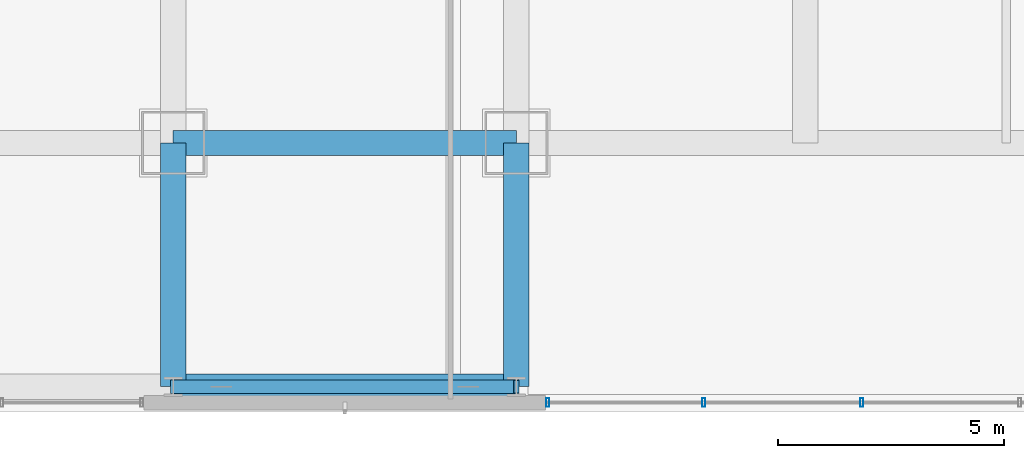
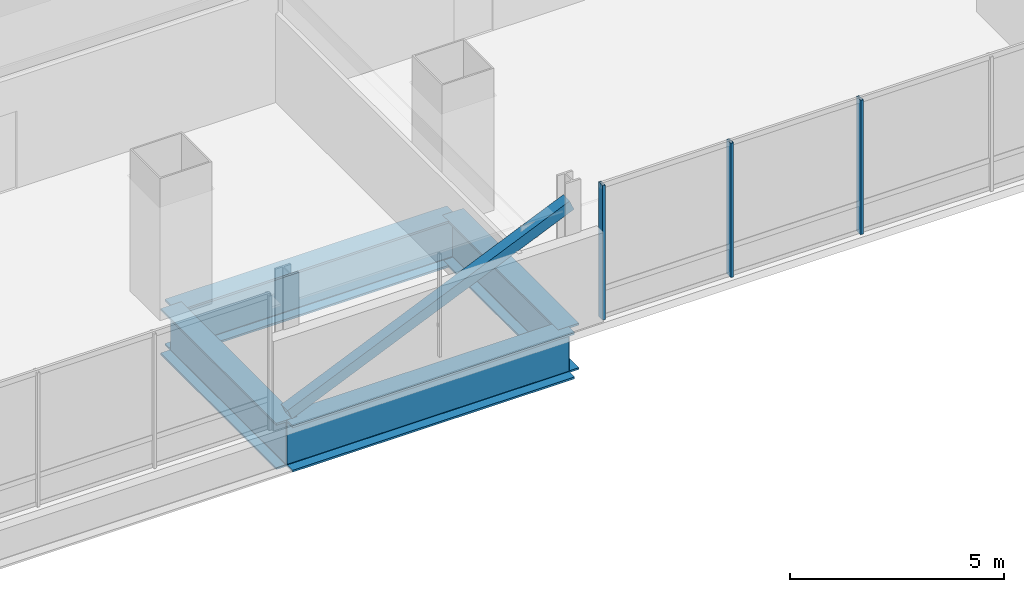
# One storey, part 5 of 41: 4 beams, 4 members, 1 element without a shape of its own.
"""IFC4 building model written with IfcOpenShell, lengths in metres."""

from ifc_helpers import new_model, si_unit, direction, frame, origin, origin_2d, place, context, subcontext, project, spatial, hollow_rectangle, i_section, extrude, material, material_profile, profile_set, type_object, element, aggregate, save


model = new_model("IFC4")

# Units and contexts
model_context = context("Model", 3, precision=1e-05, world=origin(), true_north=direction((0.0, 1.0)))
body_context = subcontext(model_context, "Body", "Model", "MODEL_VIEW")
ifc_project = project(units=[si_unit("LENGTHUNIT", "METRE"), si_unit("AREAUNIT", "SQUARE_METRE"), si_unit("VOLUMEUNIT", "CUBIC_METRE"), si_unit("PLANEANGLEUNIT", "RADIAN"), si_unit("MASSUNIT", "GRAM", prefix="KILO")], contexts=[model_context])

# Site, building, storey
site_placement = place(None, origin())
site = spatial("IfcSite", under=ifc_project, at=site_placement, CompositionType="ELEMENT")
building_placement = place(site_placement, origin())
building = spatial("IfcBuilding", under=site, at=building_placement, Name="Punatoya Terracotta Tower", CompositionType="ELEMENT")
storey_placement = place(building_placement, frame((0.0, 0.0, 220.800048828125)))
storey = spatial("IfcBuildingStorey", under=building, at=storey_placement, Name="L52", CompositionType="ELEMENT", Elevation=220.800048828125)

# Beams
ifc_material_1 = material(Name="Steel S460", Category="steel")
ifc_material_profile_1 = material_profile(ifc_material_1, i_section(OverallWidth=0.56005859375, OverallDepth=1.320068359375, WebThickness=0.035888671875, FlangeThickness=0.054931640625, FilletRadius=0.01806640625, at=origin_2d()))
ifc_profile_set_1 = profile_set([ifc_material_profile_1], Name="Steel S460")
beam_type = type_object("IfcBeamType", Name="BM-TG-BLK", PredefinedType="BEAM", material=ifc_profile_set_1)
beam_1_placement = place(storey_placement, frame((-3.800048828125, -17.5, -0.880126953125), z_axis=(1.0, 0.0, 0.0), x_axis=(0.0, 1.0, 0.0)))
element("IfcBeam", 1, at=beam_1_placement, inside=storey, type_object=beam_type, Name="BM-L52-RG-S2", PredefinedType="BEAM", context=body_context, shape_type="SweptSolid", body=[
    extrude(i_section(OverallWidth=0.56005859375, OverallDepth=1.320068359375, WebThickness=0.035888671875, FlangeThickness=0.054931640625, FilletRadius=0.01806640625, at=origin_2d()), origin(), (0.0, 0.0, 1.0), 7.60009765625),
])
for number, where, z_axis, x_axis, name in (
    (2, (-3.800048828125, -22.89990234375, -0.880126953125), (0.0, 1.0, 0.0), (-1.0, 0.0, 0.0), "BM-L52-CANT-S2"),
    (3, (3.800048828125, -22.89990234375, -0.880126953125), (0.0, 1.0, 0.0), (-1.0, 0.0, 0.0), "BM-L52-CANT-S3"),
):
    element("IfcBeam", number, at=place(storey_placement, frame(where, z_axis=z_axis, x_axis=x_axis)), inside=storey, type_object=beam_type, Name=name, PredefinedType="BEAM", context=body_context, shape_type="SweptSolid", body=[
        extrude(i_section(OverallWidth=0.56005859375, OverallDepth=1.320068359375, WebThickness=0.035888671875, FlangeThickness=0.054931640625, FilletRadius=0.01806640625, at=origin_2d()), origin(), (0.0, 0.0, 1.0), 5.39990234375),
    ])
beam_2_placement = place(storey_placement, frame((-3.800048828125, -22.89990234375, -0.880126953125), z_axis=(1.0, 0.0, 0.0), x_axis=(0.0, 1.0, 0.0)))
element("IfcBeam", 4, at=beam_2_placement, inside=storey, type_object=beam_type, Name="BM-L52-PER-S2", PredefinedType="BEAM", context=body_context, shape_type="SweptSolid", body=[
    extrude(i_section(OverallWidth=0.56005859375, OverallDepth=1.320068359375, WebThickness=0.035888671875, FlangeThickness=0.054931640625, FilletRadius=0.01806640625, at=origin_2d()), origin(), (0.0, 0.0, 1.0), 7.60009765625),
])

# Curtain wall, members
ifc_material_2 = material(Name="Aluminium 6063-T6 + Double Low-E Glass", Category="aluminium")
curtain_wall_type = type_object("IfcCurtainWallType", Name="CW-M2", PredefinedType="NOTDEFINED", material=ifc_material_2)
curtain_wall_placement = place(storey_placement, origin())
curtain_wall = element("IfcCurtainWall", 5, at=curtain_wall_placement, inside=storey, type_object=curtain_wall_type, Name="L52 Curtain Wall CW-L52-S01-2", PredefinedType="NOTDEFINED")
ifc_material_3 = material(Name="Aluminium 6063-T6", Category="aluminium")
ifc_material_profile_2 = material_profile(ifc_material_3, hollow_rectangle(XDim=0.072021484375, YDim=0.195068359375, WallThickness=0.00439453125, at=origin_2d()))
ifc_profile_set_2 = profile_set([ifc_material_profile_2], Name="Aluminium 6063-T6")
member_type_1 = type_object("IfcMemberType", Name="CW-MUL-M2", PredefinedType="MULLION", material=ifc_profile_set_2)
member_1_placement = place(storey_placement, frame((4.4951171875, -23.25, 0.0), z_axis=(0.0, 0.0, 1.0), x_axis=(1.0, 0.0, 0.0)))
member_1 = element("IfcMember", 6, at=member_1_placement, type_object=member_type_1, Name="CW-L52-S01-2 Mullion 00", PredefinedType="MULLION", context=body_context, shape_type="SweptSolid", body=[
    extrude(hollow_rectangle(XDim=0.072021484375, YDim=0.195068359375, WallThickness=0.00439453125, at=origin_2d()), origin(), (0.0, 0.0, 1.0), 3.829833984375),
])
member_2_placement = place(storey_placement, frame((7.949951171875, -23.25, 0.0), z_axis=(0.0, 0.0, 1.0), x_axis=(1.0, 0.0, 0.0)))
member_2 = element("IfcMember", 7, at=member_2_placement, type_object=member_type_1, Name="CW-L52-S01-2 Mullion 01", PredefinedType="MULLION", context=body_context, shape_type="SweptSolid", body=[
    extrude(hollow_rectangle(XDim=0.072021484375, YDim=0.195068359375, WallThickness=0.00439453125, at=origin_2d()), origin(), (0.0, 0.0, 1.0), 3.829833984375),
])
member_3_placement = place(storey_placement, frame((11.449951171875, -23.25, 0.0), z_axis=(0.0, 0.0, 1.0), x_axis=(1.0, 0.0, 0.0)))
member_3 = element("IfcMember", 8, at=member_3_placement, type_object=member_type_1, Name="CW-L52-S01-2 Mullion 02", PredefinedType="MULLION", context=body_context, shape_type="SweptSolid", body=[
    extrude(hollow_rectangle(XDim=0.072021484375, YDim=0.195068359375, WallThickness=0.00439453125, at=origin_2d()), origin(), (0.0, 0.0, 1.0), 3.829833984375),
])
aggregate(curtain_wall, [member_1, member_2, member_3])

# Member
ifc_material_4 = material(Name="Steel S355", Category="steel")
ifc_material_profile_3 = material_profile(ifc_material_4, hollow_rectangle(XDim=0.300048828125, YDim=0.300048828125, WallThickness=0.01611328125, at=origin_2d()))
ifc_profile_set_3 = profile_set([ifc_material_profile_3], Name="Steel S355")
member_type_2 = type_object("IfcMemberType", Name="MEM-WND-300", PredefinedType="BRACE", material=ifc_profile_set_3)
member_4_placement = place(storey_placement, frame((-3.800048828125, -22.89990234375, 0.02001953125), z_axis=(0.916830625549, 0.0, 0.399276350484), x_axis=(0.0, 1.0, 0.0)))
element("IfcMember", 9, at=member_4_placement, inside=storey, type_object=member_type_2, Name="L52 Perimeter Wind Brace S2", PredefinedType="BRACE", context=body_context, shape_type="SweptSolid", body=[
    extrude(hollow_rectangle(XDim=0.300048828125, YDim=0.300048828125, WallThickness=0.01611328125, at=origin_2d()), origin(), (0.0, 0.0, 1.0), 8.28955078125),
])

save(model, "model.ifc")
